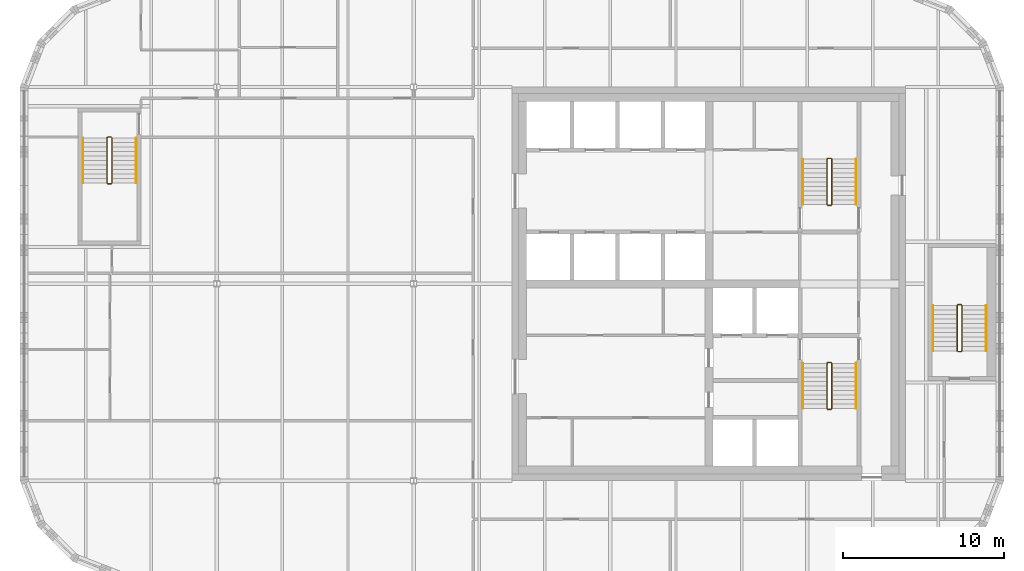
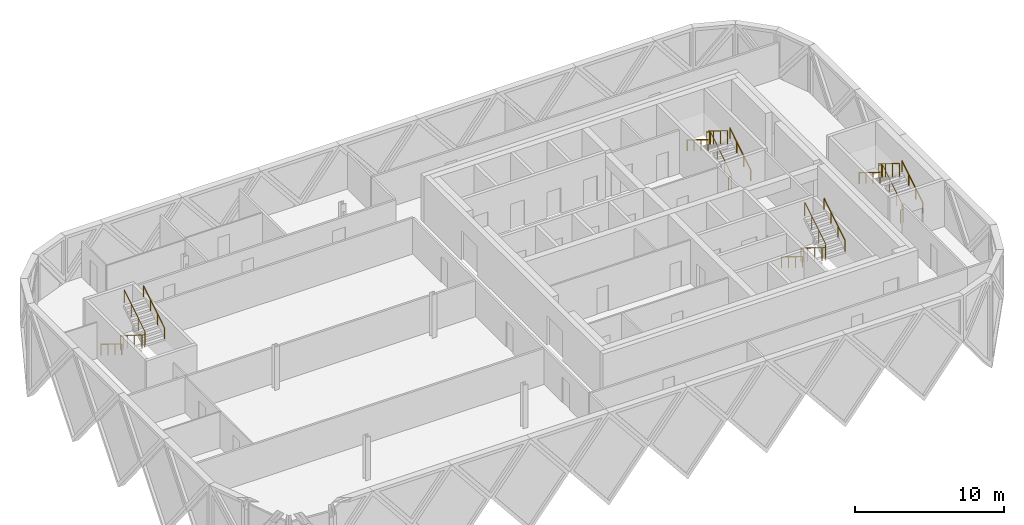
# One storey, part 12 of 12: 12 railings.
"""IFC4 building model written with IfcOpenShell, lengths in metres."""

import ifcopenshell
import ifcopenshell.guid

model = None  # the IFC model being written
_history = None  # IfcOwnerHistory: only IFC2X3 demands one
_inside = {}  # id of a spatial element -> (the spatial element, [elements in it])
_under = {}  # id of a project, library or spatial element -> (it, [spatial elements below it])
_declared = {}  # id of a project -> (the project, [libraries it declares])
_typed = {}  # id of a type object -> (the type object, [elements of that type])
_made_of = {}  # id of a material, layer set ... -> (it, [elements and type objects made of it])


def new_model(schema):
    """Start an empty IFC model of exactly this schema.

    Asked for "IFC4X3", IfcOpenShell would pick the latest addendum, in which some entities
    have other attributes; the version numbers below select the first issue.
    IFC2X3 requires an IfcOwnerHistory on every rooted entity: one is made here for all.
    """
    global model, _history
    if schema == "IFC4X3":
        model = ifcopenshell.file(schema_version=(4, 3, 0, 0))
    else:
        model = ifcopenshell.file(schema=schema)
    _inside.clear()
    _under.clear()
    _declared.clear()
    _typed.clear()
    _made_of.clear()
    _history = None
    if model.schema == "IFC2X3":
        org = make("IfcOrganization", Name="unknown")
        user = make(
            "IfcPersonAndOrganization",
            ThePerson=make("IfcPerson", FamilyName="unknown"),
            TheOrganization=org,
        )
        app = make(
            "IfcApplication",
            ApplicationDeveloper=org,
            Version="unknown",
            ApplicationFullName="unknown",
            ApplicationIdentifier="unknown",
        )
        _history = make(
            "IfcOwnerHistory",
            OwningUser=user,
            OwningApplication=app,
            ChangeAction="ADDED",
            CreationDate=0,
        )
    return model


def make(cls, **values):
    """One entity of the class cls with the attributes given. An attribute that is None is left unset."""
    return model.create_entity(
        cls, **{name: value for name, value in values.items() if value is not None}
    )


def rooted(cls, **values):
    """An entity with a GlobalId (a new one), such as an element, a storey or a relation."""
    return make(cls, GlobalId=ifcopenshell.guid.new(), OwnerHistory=_history, **values)


def si_unit(unit_type, name, prefix=None):
    """IfcSIUnit, for example si_unit("LENGTHUNIT", "METRE", prefix="MILLI")."""
    return make("IfcSIUnit", UnitType=unit_type, Prefix=prefix, Name=name)


def assignment(units):
    """IfcUnitAssignment: the units of a project."""
    return None if units is None else make("IfcUnitAssignment", Units=units)


def point(xyz):
    """IfcCartesianPoint."""
    return None if xyz is None else make("IfcCartesianPoint", Coordinates=xyz)


def direction(xyz):
    """IfcDirection."""
    return None if xyz is None else make("IfcDirection", DirectionRatios=xyz)


def frame(location, z_axis=None, x_axis=None):
    """IfcAxis2Placement3D, a coordinate frame: its origin and axes. An axis left out is left unset."""
    return make(
        "IfcAxis2Placement3D",
        Location=point(location),
        Axis=direction(z_axis),
        RefDirection=direction(x_axis),
    )


def frame_2d(location, x_axis=None):
    """IfcAxis2Placement2D, a coordinate frame in the plane: its origin and x axis."""
    return make(
        "IfcAxis2Placement2D", Location=point(location), RefDirection=direction(x_axis)
    )


def origin():
    """The frame at (0, 0, 0) with its axes left unset."""
    return frame((0.0, 0.0, 0.0))


def origin_2d():
    """The frame at (0, 0) in the plane with its x axis left unset."""
    return frame_2d((0.0, 0.0))


def place(relative_to, where):
    """IfcLocalPlacement: puts the frame where relative to a parent placement (None: the world)."""
    return make(
        "IfcLocalPlacement", PlacementRelTo=relative_to, RelativePlacement=where
    )


def context(
    kind, dimensions, precision=None, world=None, true_north=None, identifier=None
):
    """IfcGeometricRepresentationContext, for example the 3D "Model" context."""
    return make(
        "IfcGeometricRepresentationContext",
        ContextIdentifier=identifier,
        ContextType=kind,
        CoordinateSpaceDimension=dimensions,
        Precision=precision,
        WorldCoordinateSystem=world,
        TrueNorth=true_north,
    )


def subcontext(parent, identifier, kind, view, scale=None):
    """IfcGeometricRepresentationSubContext, for example "Body" below "Model"."""
    return make(
        "IfcGeometricRepresentationSubContext",
        ContextIdentifier=identifier,
        ContextType=kind,
        ParentContext=parent,
        TargetScale=scale,
        TargetView=view,
    )


def project(units=None, contexts=None):
    """IfcProject with its units and contexts."""
    return rooted(
        "IfcProject",
        Name="project",
        RepresentationContexts=contexts,
        UnitsInContext=assignment(units),
    )


def spatial(cls, under=None, at=None, **own):
    """A site, building, storey or space (cls), placed at a placement, below another one or the project."""
    s = rooted(cls, ObjectPlacement=at, **own)
    if under is not None:
        _under.setdefault(under.id(), (under, []))[1].append(s)
    return s


def profile(cls, at=None, kind="AREA", **sizes):
    """A parametric profile (cls). Its sizes go by their IFC names, for example OverallWidth=200.0."""
    return make(cls, ProfileType=kind, Position=at, **sizes)


def circle(**sizes):
    """IfcCircleProfileDef."""
    return profile("IfcCircleProfileDef", **sizes)


def extrude(swept, where, along, depth):
    """IfcExtrudedAreaSolid: the profile swept, set in the frame where, extruded along a direction by depth."""
    return make(
        "IfcExtrudedAreaSolid",
        SweptArea=swept,
        Position=where,
        ExtrudedDirection=direction(along),
        Depth=depth,
    )


def shape(context_of_items, identifier, shape_type, items):
    """IfcShapeRepresentation: the items that make up one representation, for example the "Body"."""
    return make(
        "IfcShapeRepresentation",
        ContextOfItems=context_of_items,
        RepresentationIdentifier=identifier,
        RepresentationType=shape_type,
        Items=items,
    )


def material(Name=None, Category=None):
    """IfcMaterial."""
    return make("IfcMaterial", Name=Name, Category=Category)


def made_of(thing, what):
    """Note that an element or type object is made of a material, layer set ...; save() writes the relation."""
    if what is not None:
        _made_of.setdefault(what.id(), (what, []))[1].append(thing)
    return thing


def type_object(cls, material=None, **own):
    """A type object (cls), such as IfcWallType, which elements share."""
    return made_of(rooted(cls, **own), material)


def element(
    cls,
    number,
    at=None,
    inside=None,
    cuts=None,
    type_object=None,
    material=None,
    context=None,
    identifier="Body",
    shape_type=None,
    held_by="IfcProductDefinitionShape",
    body=None,
    shapes=None,
    **own,
):
    """One element of the class cls, such as IfcWall. Its Tag is "e" and its number.

    at: its placement. inside: the storey or other place that contains it. cuts: it is an
    opening in that element (IfcRelVoidsElement). A single representation is given by context,
    identifier, shape_type and body (its items); several are given by shapes. held_by: the class
    of the entity that holds the representations. save() writes the other relations.
    """
    e = rooted(cls, Tag="e%d" % number, ObjectPlacement=at, **own)
    if body is not None:
        shapes = [shape(context, identifier, shape_type, body)]
    if shapes is not None:
        e.Representation = make(held_by, Representations=shapes)
    if inside is not None:
        _inside.setdefault(inside.id(), (inside, []))[1].append(e)
    if cuts is not None:
        rooted(
            "IfcRelVoidsElement", RelatingBuildingElement=cuts, RelatedOpeningElement=e
        )
    if type_object is not None:
        _typed.setdefault(type_object.id(), (type_object, []))[1].append(e)
    return made_of(e, material)


def aggregate(whole, parts):
    """IfcRelAggregates: a whole, such as a stair, and the parts it consists of."""
    return rooted("IfcRelAggregates", RelatingObject=whole, RelatedObjects=parts)


def save(model, path):
    """Write the relations noted so far, then the file.

    IfcRelAggregates (storeys below a building ...), IfcRelContainedInSpatialStructure (elements
    in a storey), IfcRelDefinesByType, IfcRelAssociatesMaterial and IfcRelDeclares: one each for
    every whole, place, type object, material and project.
    """
    for whole, parts in _under.values():
        aggregate(whole, parts)
    for where, things in _inside.values():
        rooted(
            "IfcRelContainedInSpatialStructure",
            RelatedElements=things,
            RelatingStructure=where,
        )
    for kind, things in _typed.values():
        rooted("IfcRelDefinesByType", RelatedObjects=things, RelatingType=kind)
    for what, things in _made_of.values():
        rooted("IfcRelAssociatesMaterial", RelatedObjects=things, RelatingMaterial=what)
    for by, libraries in _declared.values():
        rooted("IfcRelDeclares", RelatingContext=by, RelatedDefinitions=libraries)
    model.write(path)


model = new_model("IFC4")

# Units and contexts
model_context = context("Model", 3, precision=1e-05, world=origin(), true_north=direction((0.0, 1.0)))
body_context = subcontext(model_context, "Body", "Model", "MODEL_VIEW")
ifc_project = project(units=[si_unit("LENGTHUNIT", "METRE"), si_unit("AREAUNIT", "SQUARE_METRE"), si_unit("VOLUMEUNIT", "CUBIC_METRE"), si_unit("PLANEANGLEUNIT", "RADIAN"), si_unit("MASSUNIT", "GRAM", prefix="KILO")], contexts=[model_context])

# Site, building, storey
site_placement = place(None, origin())
site = spatial("IfcSite", under=ifc_project, at=site_placement, CompositionType="ELEMENT")
building_placement = place(site_placement, origin())
building = spatial("IfcBuilding", under=site, at=building_placement, Name="Tessera Gate Towers", CompositionType="ELEMENT")
storey_placement = place(building_placement, frame((0.0, 0.0, 255.89990234375)))
storey = spatial("IfcBuildingStorey", under=building, at=storey_placement, Name="L64", CompositionType="ELEMENT", Elevation=255.89990234375)

# Railings
ifc_material_1 = material(Name="Steel 350W", Category="steel")
railing_type_1 = type_object("IfcRailingType", Name="STAIR GUARD 1100", PredefinedType="GUARDRAIL", material=ifc_material_1)
railing_1_placement = place(storey_placement, frame((50.27490234375, 31.72509765625, 0.0)))
element("IfcRailing", 1, at=railing_1_placement, inside=storey, type_object=railing_type_1, Name="L64 ST1 stair guard 1", PredefinedType="GUARDRAIL", context=body_context, shape_type="SweptSolid", body=[
    extrude(circle(Radius=0.02392578125, at=origin_2d()), frame((0.0, 0.0, 1.076171875), z_axis=(-1.0, 0.0, 0.0), x_axis=(0.0, -1.0, 0.0)), (0.0, 0.0, 1.0), 0.199951171875),
    extrude(circle(Radius=0.02392578125, at=origin_2d()), frame((-0.199951171875, 0.0, 1.076171875), z_axis=(-0.267953482034, -0.267953482034, 0.925419830635), x_axis=(0.707106781187, -0.707106781187, 0.0)), (0.0, 0.0, 1.0), 0.186767578125),
    extrude(circle(Radius=0.02392578125, at=origin_2d()), frame((-0.25, -0.050048828125, 1.2490234375), z_axis=(0.0, -0.851089632645, 0.525020415988), x_axis=(1.0, 0.0, 0.0)), (0.0, 0.0, 1.0), 3.2900390625),
    extrude(circle(Radius=0.02392578125, at=origin_2d()), frame((-0.25, -2.85009765625, 2.97607421875), z_axis=(0.707106781187, -0.707106781187, 0.0), x_axis=(0.707106781187, 0.707106781187, 0.0)), (0.0, 0.0, 1.0), 0.07080078125),
    extrude(circle(Radius=0.02392578125, at=origin_2d()), frame((-0.199951171875, -2.900146484375, 2.97607421875), z_axis=(1.0, 0.0, 0.0), x_axis=(0.0, 1.0, 0.0)), (0.0, 0.0, 1.0), 0.199951171875),
    extrude(circle(Radius=0.02392578125, at=origin_2d()), frame((0.0, -2.900146484375, 2.97607421875), z_axis=(0.268277960024, 0.268277960024, 0.925231793839), x_axis=(-0.707106781187, 0.707106781187, 0.0)), (0.0, 0.0, 1.0), 0.1865234375),
    extrude(circle(Radius=0.02392578125, at=origin_2d()), frame((0.050048828125, -2.85009765625, 3.14892578125), z_axis=(0.0, 0.851089632645, 0.525020415988), x_axis=(-1.0, 0.0, 0.0)), (0.0, 0.0, 1.0), 3.2900390625),
    extrude(circle(Radius=0.02099609375, at=origin_2d()), origin(), (0.0, 0.0, 1.0), 1.052001953125),
    extrude(circle(Radius=0.02099609375, at=origin_2d()), frame((-0.199951171875, 0.0, 0.0)), (0.0, 0.0, 1.0), 1.052001953125),
    extrude(circle(Radius=0.02099609375, at=origin_2d()), frame((-0.25, -0.050048828125, 0.1728515625)), (0.0, 0.0, 1.0), 1.052001953125),
    extrude(circle(Radius=0.02099609375, at=origin_2d()), frame((-0.25, -0.9833984375, 0.74853515625)), (0.0, 0.0, 1.0), 1.052001953125),
    extrude(circle(Radius=0.02099609375, at=origin_2d()), frame((-0.25, -1.916748046875, 1.324462890625)), (0.0, 0.0, 1.0), 1.052001953125),
    extrude(circle(Radius=0.02099609375, at=origin_2d()), frame((-0.25, -2.85009765625, 1.900146484375)), (0.0, 0.0, 1.0), 1.052001953125),
    extrude(circle(Radius=0.02099609375, at=origin_2d()), frame((-0.199951171875, -2.900146484375, 1.900146484375)), (0.0, 0.0, 1.0), 1.052001953125),
    extrude(circle(Radius=0.02099609375, at=origin_2d()), frame((0.0, -2.900146484375, 1.900146484375)), (0.0, 0.0, 1.0), 1.052001953125),
    extrude(circle(Radius=0.02099609375, at=origin_2d()), frame((0.050048828125, -2.85009765625, 2.07275390625)), (0.0, 0.0, 1.0), 1.052001953125),
    extrude(circle(Radius=0.02099609375, at=origin_2d()), frame((0.050048828125, -1.916748046875, 2.6484375)), (0.0, 0.0, 1.0), 1.052001953125),
    extrude(circle(Radius=0.02099609375, at=origin_2d()), frame((0.050048828125, -0.9833984375, 3.224365234375)), (0.0, 0.0, 1.0), 1.052001953125),
    extrude(circle(Radius=0.02099609375, at=origin_2d()), frame((0.050048828125, -0.050048828125, 3.800048828125)), (0.0, 0.0, 1.0), 1.052001953125),
])
railing_2_placement = place(storey_placement, frame((50.074951171875, 41.47509765625, 0.0)))
element("IfcRailing", 2, at=railing_2_placement, inside=storey, type_object=railing_type_1, Name="L64 ST2 stair guard 1", PredefinedType="GUARDRAIL", context=body_context, shape_type="SweptSolid", body=[
    extrude(circle(Radius=0.02392578125, at=origin_2d()), frame((0.0, 0.0, 1.076171875), z_axis=(1.0, 0.0, 0.0), x_axis=(0.0, 1.0, 0.0)), (0.0, 0.0, 1.0), 0.199951171875),
    extrude(circle(Radius=0.02392578125, at=origin_2d()), frame((0.199951171875, 0.0, 1.076171875), z_axis=(0.268047150085, 0.266739603011, 0.925743328097), x_axis=(-0.705375805398, 0.708833529934, 0.0)), (0.0, 0.0, 1.0), 0.186767578125),
    extrude(circle(Radius=0.02392578125, at=origin_2d()), frame((0.25, 0.0498046875, 1.2490234375), z_axis=(0.0, 0.851089632645, 0.525020415988), x_axis=(-1.0, 0.0, 0.0)), (0.0, 0.0, 1.0), 3.2900390625),
    extrude(circle(Radius=0.02392578125, at=origin_2d()), frame((0.25, 2.849853515625, 2.97607421875), z_axis=(-0.707106781187, 0.707106781187, 0.0), x_axis=(-0.707106781187, -0.707106781187, 0.0)), (0.0, 0.0, 1.0), 0.07080078125),
    extrude(circle(Radius=0.02392578125, at=origin_2d()), frame((0.199951171875, 2.89990234375, 2.97607421875), z_axis=(-1.0, 0.0, 0.0), x_axis=(0.0, -1.0, 0.0)), (0.0, 0.0, 1.0), 0.199951171875),
    extrude(circle(Radius=0.02392578125, at=origin_2d()), frame((0.0, 2.89990234375, 2.97607421875), z_axis=(-0.268277960024, -0.268277960024, 0.925231793839), x_axis=(0.707106781187, -0.707106781187, 0.0)), (0.0, 0.0, 1.0), 0.1865234375),
    extrude(circle(Radius=0.02392578125, at=origin_2d()), frame((-0.050048828125, 2.849853515625, 3.14892578125), z_axis=(0.0, -0.851089632645, 0.525020415988), x_axis=(1.0, 0.0, 0.0)), (0.0, 0.0, 1.0), 3.2900390625),
    extrude(circle(Radius=0.02099609375, at=origin_2d()), origin(), (0.0, 0.0, 1.0), 1.052001953125),
    extrude(circle(Radius=0.02099609375, at=origin_2d()), frame((0.199951171875, 0.0, 0.0)), (0.0, 0.0, 1.0), 1.052001953125),
    extrude(circle(Radius=0.02099609375, at=origin_2d()), frame((0.25, 0.0498046875, 0.1728515625)), (0.0, 0.0, 1.0), 1.052001953125),
    extrude(circle(Radius=0.02099609375, at=origin_2d()), frame((0.25, 0.983154296875, 0.74853515625)), (0.0, 0.0, 1.0), 1.052001953125),
    extrude(circle(Radius=0.02099609375, at=origin_2d()), frame((0.25, 1.91650390625, 1.324462890625)), (0.0, 0.0, 1.0), 1.052001953125),
    extrude(circle(Radius=0.02099609375, at=origin_2d()), frame((0.25, 2.849853515625, 1.900146484375)), (0.0, 0.0, 1.0), 1.052001953125),
    extrude(circle(Radius=0.02099609375, at=origin_2d()), frame((0.199951171875, 2.89990234375, 1.900146484375)), (0.0, 0.0, 1.0), 1.052001953125),
    extrude(circle(Radius=0.02099609375, at=origin_2d()), frame((0.0, 2.89990234375, 1.900146484375)), (0.0, 0.0, 1.0), 1.052001953125),
    extrude(circle(Radius=0.02099609375, at=origin_2d()), frame((-0.050048828125, 2.849853515625, 2.07275390625)), (0.0, 0.0, 1.0), 1.052001953125),
    extrude(circle(Radius=0.02099609375, at=origin_2d()), frame((-0.050048828125, 1.91650390625, 2.6484375)), (0.0, 0.0, 1.0), 1.052001953125),
    extrude(circle(Radius=0.02099609375, at=origin_2d()), frame((-0.050048828125, 0.983154296875, 3.224365234375)), (0.0, 0.0, 1.0), 1.052001953125),
    extrude(circle(Radius=0.02099609375, at=origin_2d()), frame((-0.050048828125, 0.0498046875, 3.800048828125)), (0.0, 0.0, 1.0), 1.052001953125),
])
railing_3_placement = place(storey_placement, frame((5.64990234375, 45.699951171875, 0.0)))
element("IfcRailing", 3, at=railing_3_placement, inside=storey, type_object=railing_type_1, Name="L64 ST3 stair guard 1", PredefinedType="GUARDRAIL", context=body_context, shape_type="SweptSolid", body=[
    extrude(circle(Radius=0.02392578125, at=origin_2d()), frame((0.0, 0.0, 1.076171875), z_axis=(-1.0, 0.0, 0.0), x_axis=(0.0, -1.0, 0.0)), (0.0, 0.0, 1.0), 0.199951171875),
    extrude(circle(Radius=0.02392578125, at=origin_2d()), frame((-0.199951171875, 0.0, 1.076171875), z_axis=(-0.267953482034, -0.267953482034, 0.925419830635), x_axis=(0.707106781187, -0.707106781187, 0.0)), (0.0, 0.0, 1.0), 0.186767578125),
    extrude(circle(Radius=0.02392578125, at=origin_2d()), frame((-0.25, -0.050048828125, 1.2490234375), z_axis=(0.0, -0.851069175582, 0.525053576669), x_axis=(1.0, 0.0, 0.0)), (0.0, 0.0, 1.0), 3.289794921875),
    extrude(circle(Radius=0.02392578125, at=origin_2d()), frame((-0.25, -2.849853515625, 2.97607421875), z_axis=(0.707106781187, -0.707106781187, 0.0), x_axis=(0.707106781187, 0.707106781187, 0.0)), (0.0, 0.0, 1.0), 0.07080078125),
    extrude(circle(Radius=0.02392578125, at=origin_2d()), frame((-0.199951171875, -2.89990234375, 2.97607421875), z_axis=(1.0, 0.0, 0.0), x_axis=(0.0, 1.0, 0.0)), (0.0, 0.0, 1.0), 0.199951171875),
    extrude(circle(Radius=0.02392578125, at=origin_2d()), frame((0.0, -2.89990234375, 2.97607421875), z_axis=(0.268277960024, 0.268277960024, 0.925231793839), x_axis=(-0.707106781187, 0.707106781187, 0.0)), (0.0, 0.0, 1.0), 0.1865234375),
    extrude(circle(Radius=0.02392578125, at=origin_2d()), frame((0.050048828125, -2.849853515625, 3.14892578125), z_axis=(0.0, 0.851069175582, 0.525053576669), x_axis=(-1.0, 0.0, 0.0)), (0.0, 0.0, 1.0), 3.289794921875),
    extrude(circle(Radius=0.02099609375, at=origin_2d()), origin(), (0.0, 0.0, 1.0), 1.052001953125),
    extrude(circle(Radius=0.02099609375, at=origin_2d()), frame((-0.199951171875, 0.0, 0.0)), (0.0, 0.0, 1.0), 1.052001953125),
    extrude(circle(Radius=0.02099609375, at=origin_2d()), frame((-0.25, -0.050048828125, 0.1728515625)), (0.0, 0.0, 1.0), 1.052001953125),
    extrude(circle(Radius=0.02099609375, at=origin_2d()), frame((-0.25, -0.9833984375, 0.74853515625)), (0.0, 0.0, 1.0), 1.052001953125),
    extrude(circle(Radius=0.02099609375, at=origin_2d()), frame((-0.25, -1.91650390625, 1.324462890625)), (0.0, 0.0, 1.0), 1.052001953125),
    extrude(circle(Radius=0.02099609375, at=origin_2d()), frame((-0.25, -2.849853515625, 1.900146484375)), (0.0, 0.0, 1.0), 1.052001953125),
    extrude(circle(Radius=0.02099609375, at=origin_2d()), frame((-0.199951171875, -2.89990234375, 1.900146484375)), (0.0, 0.0, 1.0), 1.052001953125),
    extrude(circle(Radius=0.02099609375, at=origin_2d()), frame((0.0, -2.89990234375, 1.900146484375)), (0.0, 0.0, 1.0), 1.052001953125),
    extrude(circle(Radius=0.02099609375, at=origin_2d()), frame((0.050048828125, -2.849853515625, 2.07275390625)), (0.0, 0.0, 1.0), 1.052001953125),
    extrude(circle(Radius=0.02099609375, at=origin_2d()), frame((0.050048828125, -1.91650390625, 2.6484375)), (0.0, 0.0, 1.0), 1.052001953125),
    extrude(circle(Radius=0.02099609375, at=origin_2d()), frame((0.050048828125, -0.9833984375, 3.224365234375)), (0.0, 0.0, 1.0), 1.052001953125),
    extrude(circle(Radius=0.02099609375, at=origin_2d()), frame((0.050048828125, -0.050048828125, 3.800048828125)), (0.0, 0.0, 1.0), 1.052001953125),
])
railing_4_placement = place(storey_placement, frame((58.14990234375, 32.39990234375, 0.0)))
element("IfcRailing", 4, at=railing_4_placement, inside=storey, type_object=railing_type_1, Name="L64 ST5 stair guard 1", PredefinedType="GUARDRAIL", context=body_context, shape_type="SweptSolid", body=[
    extrude(circle(Radius=0.02392578125, at=origin_2d()), frame((0.0, 0.0, 1.076171875), z_axis=(1.0, 0.0, 0.0), x_axis=(0.0, 1.0, 0.0)), (0.0, 0.0, 1.0), 0.2001953125),
    extrude(circle(Radius=0.02392578125, at=origin_2d()), frame((0.2001953125, 0.0, 1.076171875), z_axis=(0.266739603011, 0.268047150085, 0.925743328097), x_axis=(-0.708833529934, 0.705375805398, 0.0)), (0.0, 0.0, 1.0), 0.186767578125),
    extrude(circle(Radius=0.02392578125, at=origin_2d()), frame((0.25, 0.050048828125, 1.2490234375), z_axis=(0.0, 0.851089632645, 0.525020415988), x_axis=(-1.0, 0.0, 0.0)), (0.0, 0.0, 1.0), 3.2900390625),
    extrude(circle(Radius=0.02392578125, at=origin_2d()), frame((0.25, 2.85009765625, 2.97607421875), z_axis=(-0.705375805398, 0.708833529934, 0.0), x_axis=(-0.708833529934, -0.705375805398, 0.0)), (0.0, 0.0, 1.0), 0.070556640625),
    extrude(circle(Radius=0.02392578125, at=origin_2d()), frame((0.2001953125, 2.900146484375, 2.97607421875), z_axis=(-1.0, 0.0, 0.0), x_axis=(0.0, -1.0, 0.0)), (0.0, 0.0, 1.0), 0.2001953125),
    extrude(circle(Radius=0.02392578125, at=origin_2d()), frame((0.0, 2.900146484375, 2.97607421875), z_axis=(-0.267062837333, -0.268371968888, 0.925556009775), x_axis=(0.708833529934, -0.705375805398, 0.0)), (0.0, 0.0, 1.0), 0.1865234375),
    extrude(circle(Radius=0.02392578125, at=origin_2d()), frame((-0.0498046875, 2.85009765625, 3.14892578125), z_axis=(0.0, -0.851089632645, 0.525020415988), x_axis=(1.0, 0.0, 0.0)), (0.0, 0.0, 1.0), 3.2900390625),
    extrude(circle(Radius=0.02099609375, at=origin_2d()), origin(), (0.0, 0.0, 1.0), 1.052001953125),
    extrude(circle(Radius=0.02099609375, at=origin_2d()), frame((0.2001953125, 0.0, 0.0)), (0.0, 0.0, 1.0), 1.052001953125),
    extrude(circle(Radius=0.02099609375, at=origin_2d()), frame((0.25, 0.050048828125, 0.1728515625)), (0.0, 0.0, 1.0), 1.052001953125),
    extrude(circle(Radius=0.02099609375, at=origin_2d()), frame((0.25, 0.9833984375, 0.74853515625)), (0.0, 0.0, 1.0), 1.052001953125),
    extrude(circle(Radius=0.02099609375, at=origin_2d()), frame((0.25, 1.916748046875, 1.324462890625)), (0.0, 0.0, 1.0), 1.052001953125),
    extrude(circle(Radius=0.02099609375, at=origin_2d()), frame((0.25, 2.85009765625, 1.900146484375)), (0.0, 0.0, 1.0), 1.052001953125),
    extrude(circle(Radius=0.02099609375, at=origin_2d()), frame((0.2001953125, 2.900146484375, 1.900146484375)), (0.0, 0.0, 1.0), 1.052001953125),
    extrude(circle(Radius=0.02099609375, at=origin_2d()), frame((0.0, 2.900146484375, 1.900146484375)), (0.0, 0.0, 1.0), 1.052001953125),
    extrude(circle(Radius=0.02099609375, at=origin_2d()), frame((-0.0498046875, 2.85009765625, 2.07275390625)), (0.0, 0.0, 1.0), 1.052001953125),
    extrude(circle(Radius=0.02099609375, at=origin_2d()), frame((-0.0498046875, 1.916748046875, 2.6484375)), (0.0, 0.0, 1.0), 1.052001953125),
    extrude(circle(Radius=0.02099609375, at=origin_2d()), frame((-0.0498046875, 0.9833984375, 3.224365234375)), (0.0, 0.0, 1.0), 1.052001953125),
    extrude(circle(Radius=0.02099609375, at=origin_2d()), frame((-0.0498046875, 0.050048828125, 3.800048828125)), (0.0, 0.0, 1.0), 1.052001953125),
])
ifc_material_2 = material(Name="Steel 350W", Category="steel")
railing_type_2 = type_object("IfcRailingType", Name="STAIR HANDRAIL 900", PredefinedType="HANDRAIL", material=ifc_material_2)
railing_5_placement = place(storey_placement, frame((48.52490234375, 31.675048828125, 0.1728515625)))
element("IfcRailing", 5, at=railing_5_placement, inside=storey, type_object=railing_type_2, Name="L64 ST1 stair handrail 1", PredefinedType="HANDRAIL", context=body_context, shape_type="SweptSolid", body=[
    extrude(circle(Radius=0.02392578125, at=origin_2d()), frame((0.0, 0.0, 0.8759765625), z_axis=(0.0, -0.851089632645, 0.525020415988), x_axis=(1.0, 0.0, 0.0)), (0.0, 0.0, 1.0), 3.2900390625),
    extrude(circle(Radius=0.02099609375, at=origin_2d()), origin(), (0.0, 0.0, 1.0), 0.851806640625),
    extrude(circle(Radius=0.02099609375, at=origin_2d()), frame((0.0, -0.933349609375, 0.57568359375)), (0.0, 0.0, 1.0), 0.851806640625),
    extrude(circle(Radius=0.02099609375, at=origin_2d()), frame((0.0, -1.86669921875, 1.151611328125)), (0.0, 0.0, 1.0), 0.851806640625),
    extrude(circle(Radius=0.02099609375, at=origin_2d()), frame((0.0, -2.800048828125, 1.727294921875)), (0.0, 0.0, 1.0), 0.851806640625),
])
for number, where, name in (
    (6, (51.824951171875, 28.875, 2.07275390625), "L64 ST1 stair handrail 2"),
    (7, (51.824951171875, 41.52490234375, 0.1728515625), "L64 ST2 stair handrail 1"),
):
    element("IfcRailing", number, at=place(storey_placement, frame(where)), inside=storey, type_object=railing_type_2, Name=name, PredefinedType="HANDRAIL", context=body_context, shape_type="SweptSolid", body=[
        extrude(circle(Radius=0.02392578125, at=origin_2d()), frame((0.0, 0.0, 0.8759765625), z_axis=(0.0, 0.851089632645, 0.525020415988), x_axis=(-1.0, 0.0, 0.0)), (0.0, 0.0, 1.0), 3.2900390625),
        extrude(circle(Radius=0.02099609375, at=origin_2d()), origin(), (0.0, 0.0, 1.0), 0.851806640625),
        extrude(circle(Radius=0.02099609375, at=origin_2d()), frame((0.0, 0.933349609375, 0.57568359375)), (0.0, 0.0, 1.0), 0.851806640625),
        extrude(circle(Radius=0.02099609375, at=origin_2d()), frame((0.0, 1.86669921875, 1.151611328125)), (0.0, 0.0, 1.0), 0.851806640625),
        extrude(circle(Radius=0.02099609375, at=origin_2d()), frame((0.0, 2.800048828125, 1.727294921875)), (0.0, 0.0, 1.0), 0.851806640625),
    ])
railing_6_placement = place(storey_placement, frame((48.52490234375, 44.324951171875, 2.07275390625)))
element("IfcRailing", 8, at=railing_6_placement, inside=storey, type_object=railing_type_2, Name="L64 ST2 stair handrail 2", PredefinedType="HANDRAIL", context=body_context, shape_type="SweptSolid", body=[
    extrude(circle(Radius=0.02392578125, at=origin_2d()), frame((0.0, 0.0, 0.8759765625), z_axis=(0.0, -0.851089632645, 0.525020415988), x_axis=(1.0, 0.0, 0.0)), (0.0, 0.0, 1.0), 3.2900390625),
    extrude(circle(Radius=0.02099609375, at=origin_2d()), origin(), (0.0, 0.0, 1.0), 0.851806640625),
    extrude(circle(Radius=0.02099609375, at=origin_2d()), frame((0.0, -0.933349609375, 0.57568359375)), (0.0, 0.0, 1.0), 0.851806640625),
    extrude(circle(Radius=0.02099609375, at=origin_2d()), frame((0.0, -1.86669921875, 1.151611328125)), (0.0, 0.0, 1.0), 0.851806640625),
    extrude(circle(Radius=0.02099609375, at=origin_2d()), frame((0.0, -2.800048828125, 1.727294921875)), (0.0, 0.0, 1.0), 0.851806640625),
])
railing_7_placement = place(storey_placement, frame((3.89990234375, 45.64990234375, 0.1728515625)))
element("IfcRailing", 9, at=railing_7_placement, inside=storey, type_object=railing_type_2, Name="L64 ST3 stair handrail 1", PredefinedType="HANDRAIL", context=body_context, shape_type="SweptSolid", body=[
    extrude(circle(Radius=0.02392578125, at=origin_2d()), frame((0.0, 0.0, 0.8759765625), z_axis=(0.0, -0.851069175582, 0.525053576669), x_axis=(1.0, 0.0, 0.0)), (0.0, 0.0, 1.0), 3.289794921875),
    extrude(circle(Radius=0.02099609375, at=origin_2d()), origin(), (0.0, 0.0, 1.0), 0.851806640625),
    extrude(circle(Radius=0.02099609375, at=origin_2d()), frame((0.0, -0.933349609375, 0.57568359375)), (0.0, 0.0, 1.0), 0.851806640625),
    extrude(circle(Radius=0.02099609375, at=origin_2d()), frame((0.0, -1.866455078125, 1.151611328125)), (0.0, 0.0, 1.0), 0.851806640625),
    extrude(circle(Radius=0.02099609375, at=origin_2d()), frame((0.0, -2.7998046875, 1.727294921875)), (0.0, 0.0, 1.0), 0.851806640625),
])
railing_8_placement = place(storey_placement, frame((7.199951171875, 42.85009765625, 2.07275390625)))
element("IfcRailing", 10, at=railing_8_placement, inside=storey, type_object=railing_type_2, Name="L64 ST3 stair handrail 2", PredefinedType="HANDRAIL", context=body_context, shape_type="SweptSolid", body=[
    extrude(circle(Radius=0.02392578125, at=origin_2d()), frame((0.0, 0.0, 0.8759765625), z_axis=(0.0, 0.851069175582, 0.525053576669), x_axis=(-1.0, 0.0, 0.0)), (0.0, 0.0, 1.0), 3.289794921875),
    extrude(circle(Radius=0.02099609375, at=origin_2d()), origin(), (0.0, 0.0, 1.0), 0.851806640625),
    extrude(circle(Radius=0.02099609375, at=origin_2d()), frame((0.0, 0.933349609375, 0.57568359375)), (0.0, 0.0, 1.0), 0.851806640625),
    extrude(circle(Radius=0.02099609375, at=origin_2d()), frame((0.0, 1.866455078125, 1.151611328125)), (0.0, 0.0, 1.0), 0.851806640625),
    extrude(circle(Radius=0.02099609375, at=origin_2d()), frame((0.0, 2.7998046875, 1.727294921875)), (0.0, 0.0, 1.0), 0.851806640625),
])
railing_9_placement = place(storey_placement, frame((59.89990234375, 32.449951171875, 0.1728515625)))
element("IfcRailing", 11, at=railing_9_placement, inside=storey, type_object=railing_type_2, Name="L64 ST5 stair handrail 1", PredefinedType="HANDRAIL", context=body_context, shape_type="SweptSolid", body=[
    extrude(circle(Radius=0.02392578125, at=origin_2d()), frame((0.0, 0.0, 0.8759765625), z_axis=(0.0, 0.851089632645, 0.525020415988), x_axis=(-1.0, 0.0, 0.0)), (0.0, 0.0, 1.0), 3.2900390625),
    extrude(circle(Radius=0.02099609375, at=origin_2d()), origin(), (0.0, 0.0, 1.0), 0.851806640625),
    extrude(circle(Radius=0.02099609375, at=origin_2d()), frame((0.0, 0.933349609375, 0.57568359375)), (0.0, 0.0, 1.0), 0.851806640625),
    extrude(circle(Radius=0.02099609375, at=origin_2d()), frame((0.0, 1.86669921875, 1.151611328125)), (0.0, 0.0, 1.0), 0.851806640625),
    extrude(circle(Radius=0.02099609375, at=origin_2d()), frame((0.0, 2.800048828125, 1.727294921875)), (0.0, 0.0, 1.0), 0.851806640625),
])
railing_10_placement = place(storey_placement, frame((56.60009765625, 35.25, 2.07275390625)))
element("IfcRailing", 12, at=railing_10_placement, inside=storey, type_object=railing_type_2, Name="L64 ST5 stair handrail 2", PredefinedType="HANDRAIL", context=body_context, shape_type="SweptSolid", body=[
    extrude(circle(Radius=0.02392578125, at=origin_2d()), frame((0.0, 0.0, 0.8759765625), z_axis=(0.0, -0.851089632645, 0.525020415988), x_axis=(1.0, 0.0, 0.0)), (0.0, 0.0, 1.0), 3.2900390625),
    extrude(circle(Radius=0.02099609375, at=origin_2d()), origin(), (0.0, 0.0, 1.0), 0.851806640625),
    extrude(circle(Radius=0.02099609375, at=origin_2d()), frame((0.0, -0.933349609375, 0.57568359375)), (0.0, 0.0, 1.0), 0.851806640625),
    extrude(circle(Radius=0.02099609375, at=origin_2d()), frame((0.0, -1.86669921875, 1.151611328125)), (0.0, 0.0, 1.0), 0.851806640625),
    extrude(circle(Radius=0.02099609375, at=origin_2d()), frame((0.0, -2.800048828125, 1.727294921875)), (0.0, 0.0, 1.0), 0.851806640625),
])

save(model, "model.ifc")
